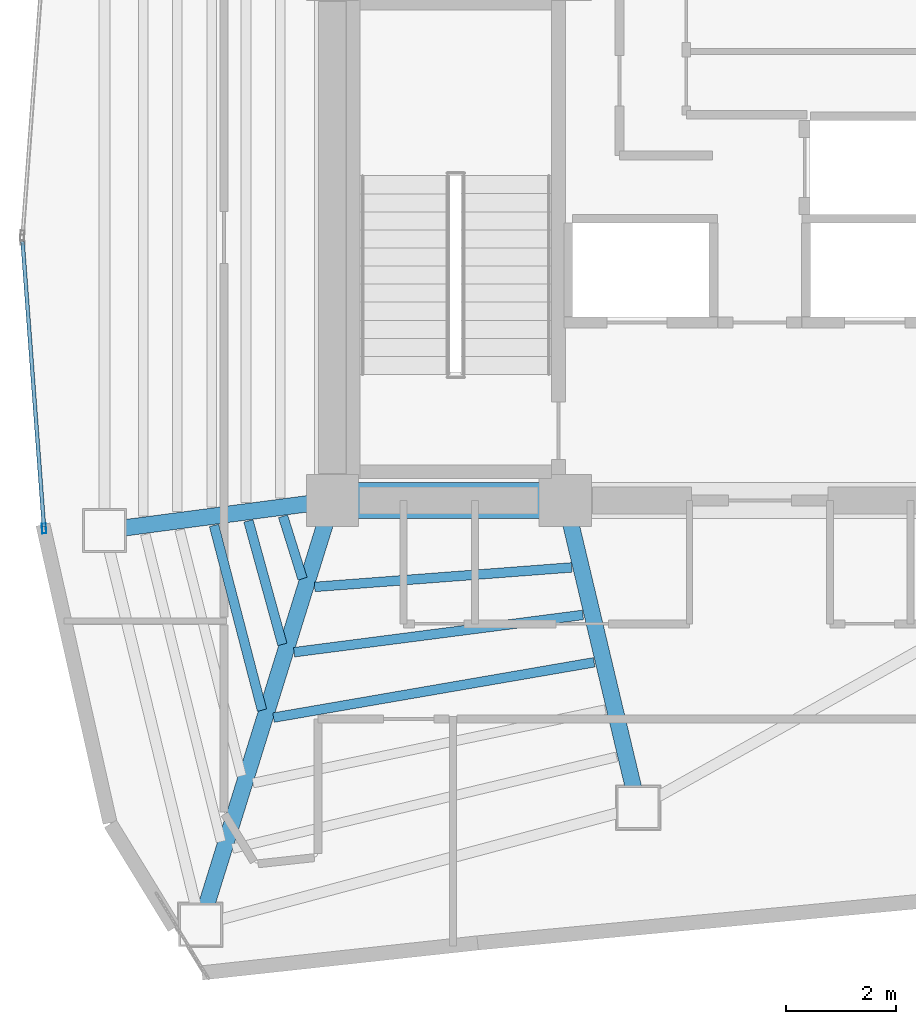
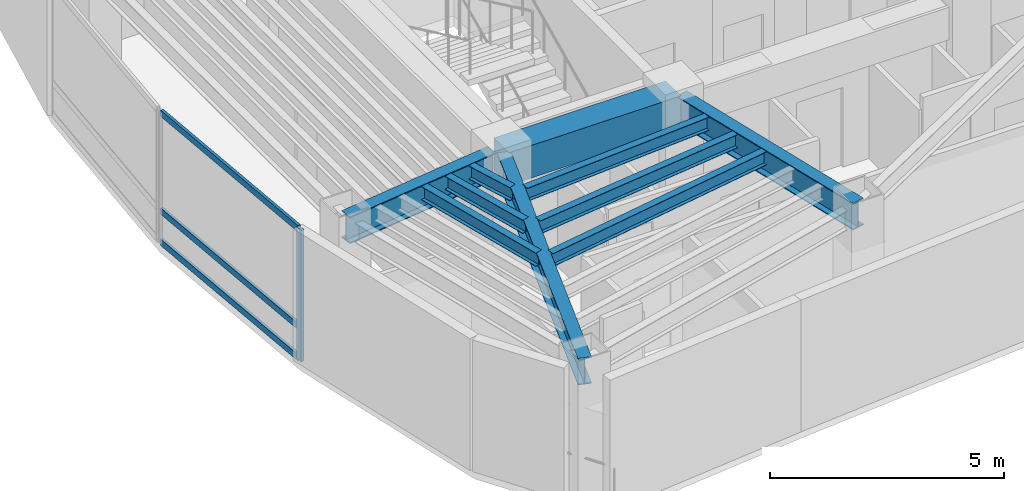
# One storey, part 2 of 17: 10 beams, 4 members, 1 element without a shape of its own.
"""IFC4 building model written with IfcOpenShell, lengths in metres."""

from ifc_helpers import new_model, si_unit, direction, frame, origin, origin_2d, place, context, subcontext, project, spatial, rectangle, hollow_rectangle, i_section, extrude, material, layer, layer_set, material_profile, profile_set, type_object, element, aggregate, save


model = new_model("IFC4")

# Units and contexts
model_context = context("Model", 3, precision=1e-05, world=origin(), true_north=direction((0.0, 1.0)))
body_context = subcontext(model_context, "Body", "Model", "MODEL_VIEW")
ifc_project = project(units=[si_unit("LENGTHUNIT", "METRE"), si_unit("AREAUNIT", "SQUARE_METRE"), si_unit("VOLUMEUNIT", "CUBIC_METRE"), si_unit("PLANEANGLEUNIT", "RADIAN"), si_unit("MASSUNIT", "GRAM", prefix="KILO")], contexts=[model_context])

# Site, building, storey
site_placement = place(None, origin())
site = spatial("IfcSite", under=ifc_project, at=site_placement, CompositionType="ELEMENT")
building_placement = place(site_placement, origin())
building = spatial("IfcBuilding", under=site, at=building_placement, Name="Menara Vayukalpa", CompositionType="ELEMENT")
storey_placement = place(building_placement, frame((0.0, 0.0, 234.419921875)))
storey = spatial("IfcBuildingStorey", under=building, at=storey_placement, Name="L59", CompositionType="ELEMENT", Elevation=234.419921875)

# Beams
ifc_material_1 = material(Name="Concrete C60/75", Category="concrete")
ifc_material_profile_1 = material_profile(ifc_material_1, rectangle(XDim=0.64990234375, YDim=0.85009765625, at=origin_2d()), Name="RC 650x850")
ifc_profile_set_1 = profile_set([ifc_material_profile_1], Name="Concrete C60/75")
beam_type_1 = type_object("IfcBeamType", Name="BM-CB1", PredefinedType="BEAM", material=ifc_profile_set_1)
beam_1_placement = place(storey_placement, frame((17.800048828125, 17.199951171875, 3.01513671875), z_axis=(1.0, 0.0, 0.0), x_axis=(0.0, 1.0, 0.0)))
element("IfcBeam", 1, at=beam_1_placement, inside=storey, type_object=beam_type_1, Name="L59 Core Tie Beam CBR1", PredefinedType="BEAM", context=body_context, shape_type="SweptSolid", body=[
    extrude(rectangle(XDim=0.64990234375, YDim=0.85009765625, at=origin_2d()), origin(), (0.0, 0.0, 1.0), 4.25),
])
ifc_material_2 = material(Name="Steel S355", Category="steel")
ifc_material_profile_2 = material_profile(ifc_material_2, i_section(OverallWidth=0.300048828125, OverallDepth=0.699951171875, WebThickness=0.012939453125, FlangeThickness=0.02392578125, at=origin_2d()), Name="WF 700x300x13x24")
ifc_profile_set_2 = profile_set([ifc_material_profile_2], Name="Steel S355")
beam_type_2 = type_object("IfcBeamType", Name="BM-PG5", PredefinedType="BEAM", material=ifc_profile_set_2)
beam_2_placement = place(storey_placement, frame((17.552001953125, 17.16748046875, 3.090087890625), z_axis=(-0.991477860763, -0.130275291662, 0.0), x_axis=(0.130275291662, -0.991477860763, 0.0)))
element("IfcBeam", 2, at=beam_2_placement, inside=storey, type_object=beam_type_2, Name="L59 Primary Radial Girder RG06", PredefinedType="BEAM", context=body_context, shape_type="SweptSolid", body=[
    extrude(i_section(OverallWidth=0.300048828125, OverallDepth=0.699951171875, WebThickness=0.012939453125, FlangeThickness=0.02392578125, at=origin_2d()), origin(), (0.0, 0.0, 1.0), 3.94677734375),
])
beam_3_placement = place(storey_placement, frame((17.7255859375, 16.961181640625, 3.090087890625), z_axis=(-0.297213792842, -0.954810955815, 0.0), x_axis=(0.954810955815, -0.297213792842, 0.0)))
element("IfcBeam", 3, at=beam_3_placement, inside=storey, type_object=beam_type_2, Name="L59 Primary Radial Girder RG07", PredefinedType="BEAM", context=body_context, shape_type="SweptSolid", body=[
    extrude(i_section(OverallWidth=0.300048828125, OverallDepth=0.699951171875, WebThickness=0.012939453125, FlangeThickness=0.02392578125, at=origin_2d()), origin(), (0.0, 0.0, 1.0), 7.861083984375),
])
beam_4_placement = place(storey_placement, frame((22.10791015625, 16.956787109375, 3.090087890625), z_axis=(0.231167310854, -0.972914011818, 0.0), x_axis=(0.972914011818, 0.231167310854, 0.0)))
element("IfcBeam", 4, at=beam_4_placement, inside=storey, type_object=beam_type_2, Name="L59 Primary Radial Girder RG08", PredefinedType="BEAM", context=body_context, shape_type="SweptSolid", body=[
    extrude(i_section(OverallWidth=0.300048828125, OverallDepth=0.699951171875, WebThickness=0.012939453125, FlangeThickness=0.02392578125, at=origin_2d()), origin(), (0.0, 0.0, 1.0), 5.5107421875),
])
ifc_material_3 = material(Name="Steel S355", Category="steel")
ifc_material_profile_3 = material_profile(ifc_material_3, i_section(OverallWidth=0.175048828125, OverallDepth=0.35009765625, WebThickness=0.007080078125, FlangeThickness=0.010986328125, at=origin_2d()), Name="WF 350x175x7x11")
ifc_profile_set_3 = profile_set([ifc_material_profile_3], Name="Steel S355")
beam_type_3 = type_object("IfcBeamType", Name="BM-SJ3", PredefinedType="JOIST", material=ifc_profile_set_3)
beam_5_placement = place(storey_placement, frame((16.8984375, 16.91259765625, 3.26513671875), z_axis=(0.298018933644, -0.954559958929, 0.0), x_axis=(0.954559958929, 0.298018933644, 0.0)))
element("IfcBeam", 5, at=beam_5_placement, inside=storey, type_object=beam_type_3, Name="L59 Secondary Floor Joist SJ06-1", PredefinedType="JOIST", context=body_context, shape_type="SweptSolid", body=[
    extrude(i_section(OverallWidth=0.175048828125, OverallDepth=0.35009765625, WebThickness=0.007080078125, FlangeThickness=0.010986328125, at=origin_2d()), origin(), (0.0, 0.0, 1.0), 1.1943359375),
])
beam_6_placement = place(storey_placement, frame((16.2666015625, 16.82861328125, 3.26513671875), z_axis=(0.264918721837, -0.9642707456, 0.0), x_axis=(0.9642707456, 0.264918721837, 0.0)))
element("IfcBeam", 6, at=beam_6_placement, inside=storey, type_object=beam_type_3, Name="L59 Secondary Floor Joist SJ06-2", PredefinedType="JOIST", context=body_context, shape_type="SweptSolid", body=[
    extrude(i_section(OverallWidth=0.175048828125, OverallDepth=0.35009765625, WebThickness=0.007080078125, FlangeThickness=0.010986328125, at=origin_2d()), origin(), (0.0, 0.0, 1.0), 2.3388671875),
])
beam_7_placement = place(storey_placement, frame((15.63818359375, 16.745849609375, 3.26513671875), z_axis=(0.251492114719, -0.96785934734, 0.0), x_axis=(0.96785934734, 0.251492114719, 0.0)))
element("IfcBeam", 7, at=beam_7_placement, inside=storey, type_object=beam_type_3, Name="L59 Secondary Floor Joist SJ06-3", PredefinedType="JOIST", context=body_context, shape_type="SweptSolid", body=[
    extrude(i_section(OverallWidth=0.175048828125, OverallDepth=0.35009765625, WebThickness=0.007080078125, FlangeThickness=0.010986328125, at=origin_2d()), origin(), (0.0, 0.0, 1.0), 3.485107421875),
])
beam_8_placement = place(storey_placement, frame((17.474609375, 15.623046875, 3.26513671875), z_axis=(0.997135697669, 0.075633328852, 0.0), x_axis=(-0.075633328852, 0.997135697669, 0.0)))
element("IfcBeam", 8, at=beam_8_placement, inside=storey, type_object=beam_type_3, Name="L59 Secondary Floor Joist SJ07-1", PredefinedType="JOIST", context=body_context, shape_type="SweptSolid", body=[
    extrude(i_section(OverallWidth=0.175048828125, OverallDepth=0.35009765625, WebThickness=0.007080078125, FlangeThickness=0.010986328125, at=origin_2d()), origin(), (0.0, 0.0, 1.0), 4.706298828125),
])
beam_9_placement = place(storey_placement, frame((17.099853515625, 14.43115234375, 3.26513671875), z_axis=(0.991763759233, 0.128080622546, 0.0), x_axis=(-0.128080622546, 0.991763759233, 0.0)))
element("IfcBeam", 9, at=beam_9_placement, inside=storey, type_object=beam_type_3, Name="L59 Secondary Floor Joist SJ07-2", PredefinedType="JOIST", context=body_context, shape_type="SweptSolid", body=[
    extrude(i_section(OverallWidth=0.175048828125, OverallDepth=0.35009765625, WebThickness=0.007080078125, FlangeThickness=0.010986328125, at=origin_2d()), origin(), (0.0, 0.0, 1.0), 5.316162109375),
])
beam_10_placement = place(storey_placement, frame((16.724853515625, 13.2373046875, 3.26513671875), z_axis=(0.985440172071, 0.170022549294, 0.0), x_axis=(-0.170022549294, 0.985440172071, 0.0)))
element("IfcBeam", 10, at=beam_10_placement, inside=storey, type_object=beam_type_3, Name="L59 Secondary Floor Joist SJ07-3", PredefinedType="JOIST", context=body_context, shape_type="SweptSolid", body=[
    extrude(i_section(OverallWidth=0.175048828125, OverallDepth=0.35009765625, WebThickness=0.007080078125, FlangeThickness=0.010986328125, at=origin_2d()), origin(), (0.0, 0.0, 1.0), 5.93896484375),
])

# Curtain wall, members
ifc_material_4 = material(Name="Anodised Terracotta Aluminium Alloy 6063-T6", Category="masonry")
ifc_layer = layer(ifc_material_4, 0.179931640625)
ifc_layer_set = layer_set([ifc_layer], Name="Anodised Terracotta Aluminium Alloy 6063-T6")
curtain_wall_type = type_object("IfcCurtainWallType", Name="CW-CW4", PredefinedType="USERDEFINED", material=ifc_layer_set)
curtain_wall_placement = place(storey_placement, origin())
curtain_wall = element("IfcCurtainWall", 11, at=curtain_wall_placement, inside=storey, type_object=curtain_wall_type, Name="L59 Sky Bar Cantilever Glazed Curtain Wall CW4 11", ObjectType="UNITISED", PredefinedType="USERDEFINED")
ifc_material_5 = material(Name="Anodised Terracotta Aluminium Alloy 6063-T6", Category="masonry")
ifc_material_profile_4 = material_profile(ifc_material_5, hollow_rectangle(XDim=0.074951171875, YDim=0.179931640625, WallThickness=0.00390625, at=origin_2d()), Name="ALU 75x180x4")
ifc_profile_set_4 = profile_set([ifc_material_profile_4], Name="Anodised Terracotta Aluminium Alloy 6063-T6")
member_type_1 = type_object("IfcMemberType", Name="CWM-CW4", PredefinedType="MULLION", material=ifc_profile_set_4)
member_1_placement = place(storey_placement, frame((12.5361328125, 16.690673828125, 0.0), z_axis=(0.0, 0.0, 1.0), x_axis=(0.997199344663, 0.074789484574, 0.0)))
member_1 = element("IfcMember", 12, at=member_1_placement, type_object=member_type_1, Name="CW4 mullion 2", PredefinedType="MULLION", context=body_context, shape_type="SweptSolid", body=[
    extrude(hollow_rectangle(XDim=0.074951171875, YDim=0.179931640625, WallThickness=0.00390625, at=origin_2d()), origin(), (0.0, 0.0, 1.0), 3.440185546875),
])
ifc_material_6 = material(Name="Anodised Terracotta Aluminium Alloy 6063-T6", Category="masonry")
ifc_material_profile_5 = material_profile(ifc_material_6, hollow_rectangle(XDim=0.070068359375, YDim=0.1650390625, WallThickness=0.00390625, at=origin_2d()), Name="ALU 70x165x4")
ifc_profile_set_5 = profile_set([ifc_material_profile_5], Name="Anodised Terracotta Aluminium Alloy 6063-T6")
member_type_2 = type_object("IfcMemberType", Name="CWT-CW4", PredefinedType="USERDEFINED", material=ifc_profile_set_5)
member_2_placement = place(storey_placement, frame((12.1435546875, 21.92529296875, 0.03515625), z_axis=(0.074808580699, -0.997197912279, 0.0), x_axis=(0.997197912279, 0.074808580699, 0.0)))
member_2 = element("IfcMember", 13, at=member_2_placement, type_object=member_type_2, Name="CW4 transom 1.1", ObjectType="TRANSOM", PredefinedType="USERDEFINED", context=body_context, shape_type="SweptSolid", body=[
    extrude(hollow_rectangle(XDim=0.070068359375, YDim=0.1650390625, WallThickness=0.00390625, at=origin_2d()), origin(), (0.0, 0.0, 1.0), 5.2119140625),
])
member_3_placement = place(storey_placement, frame((12.1435546875, 21.92529296875, 0.85009765625), z_axis=(0.074808580699, -0.997197912279, 0.0), x_axis=(0.997197912279, 0.074808580699, 0.0)))
member_3 = element("IfcMember", 14, at=member_3_placement, type_object=member_type_2, Name="CW4 transom 1.2", ObjectType="TRANSOM", PredefinedType="USERDEFINED", context=body_context, shape_type="SweptSolid", body=[
    extrude(hollow_rectangle(XDim=0.070068359375, YDim=0.1650390625, WallThickness=0.00390625, at=origin_2d()), origin(), (0.0, 0.0, 1.0), 5.2119140625),
])
member_4_placement = place(storey_placement, frame((12.1435546875, 21.92529296875, 3.405029296875), z_axis=(0.074808580699, -0.997197912279, 0.0), x_axis=(0.997197912279, 0.074808580699, 0.0)))
member_4 = element("IfcMember", 15, at=member_4_placement, type_object=member_type_2, Name="CW4 transom 1.3", ObjectType="TRANSOM", PredefinedType="USERDEFINED", context=body_context, shape_type="SweptSolid", body=[
    extrude(hollow_rectangle(XDim=0.070068359375, YDim=0.1650390625, WallThickness=0.00390625, at=origin_2d()), origin(), (0.0, 0.0, 1.0), 5.2119140625),
])
aggregate(curtain_wall, [member_1, member_2, member_3, member_4])

save(model, "model.ifc")
